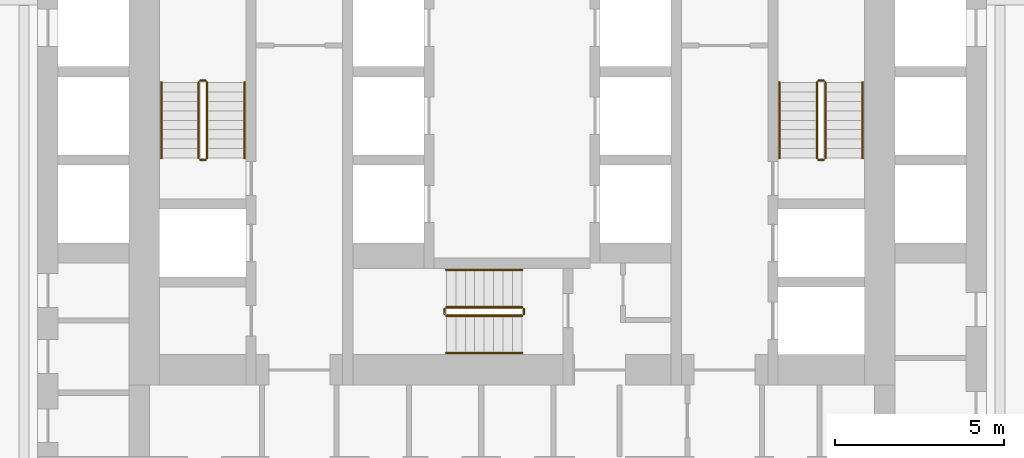
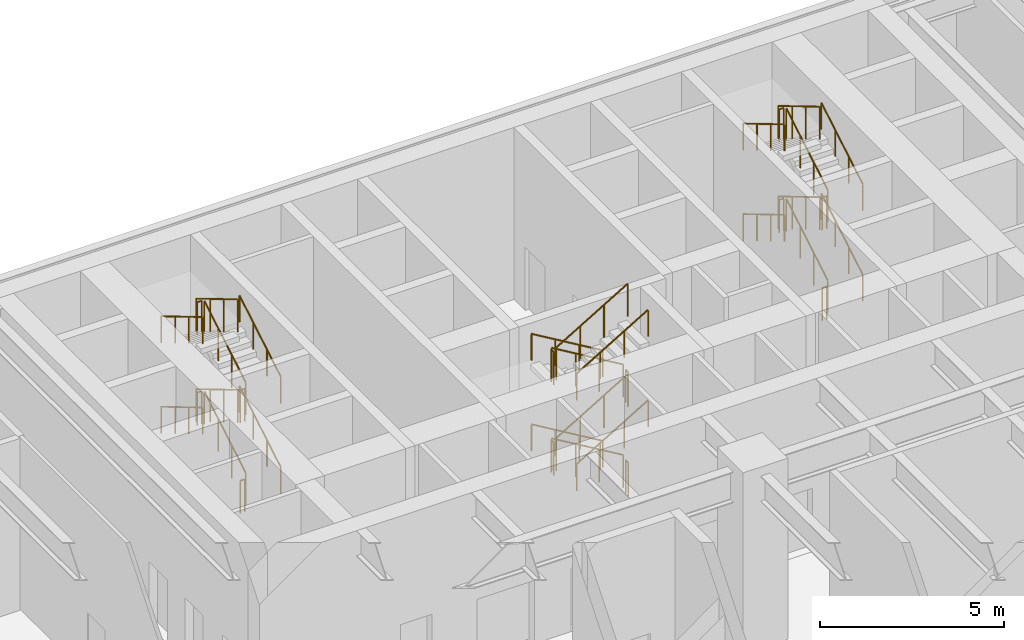
# One storey, part 37 of 37: 36 railings.
"""IFC4 building model written with IfcOpenShell, lengths in metres."""

import ifcopenshell
import ifcopenshell.guid

model = None  # the IFC model being written
_history = None  # IfcOwnerHistory: only IFC2X3 demands one
_inside = {}  # id of a spatial element -> (the spatial element, [elements in it])
_under = {}  # id of a project, library or spatial element -> (it, [spatial elements below it])
_declared = {}  # id of a project -> (the project, [libraries it declares])
_typed = {}  # id of a type object -> (the type object, [elements of that type])
_made_of = {}  # id of a material, layer set ... -> (it, [elements and type objects made of it])


def new_model(schema):
    """Start an empty IFC model of exactly this schema.

    Asked for "IFC4X3", IfcOpenShell would pick the latest addendum, in which some entities
    have other attributes; the version numbers below select the first issue.
    IFC2X3 requires an IfcOwnerHistory on every rooted entity: one is made here for all.
    """
    global model, _history
    if schema == "IFC4X3":
        model = ifcopenshell.file(schema_version=(4, 3, 0, 0))
    else:
        model = ifcopenshell.file(schema=schema)
    _inside.clear()
    _under.clear()
    _declared.clear()
    _typed.clear()
    _made_of.clear()
    _history = None
    if model.schema == "IFC2X3":
        org = make("IfcOrganization", Name="unknown")
        user = make(
            "IfcPersonAndOrganization",
            ThePerson=make("IfcPerson", FamilyName="unknown"),
            TheOrganization=org,
        )
        app = make(
            "IfcApplication",
            ApplicationDeveloper=org,
            Version="unknown",
            ApplicationFullName="unknown",
            ApplicationIdentifier="unknown",
        )
        _history = make(
            "IfcOwnerHistory",
            OwningUser=user,
            OwningApplication=app,
            ChangeAction="ADDED",
            CreationDate=0,
        )
    return model


def make(cls, **values):
    """One entity of the class cls with the attributes given. An attribute that is None is left unset."""
    return model.create_entity(
        cls, **{name: value for name, value in values.items() if value is not None}
    )


def rooted(cls, **values):
    """An entity with a GlobalId (a new one), such as an element, a storey or a relation."""
    return make(cls, GlobalId=ifcopenshell.guid.new(), OwnerHistory=_history, **values)


def si_unit(unit_type, name, prefix=None):
    """IfcSIUnit, for example si_unit("LENGTHUNIT", "METRE", prefix="MILLI")."""
    return make("IfcSIUnit", UnitType=unit_type, Prefix=prefix, Name=name)


def assignment(units):
    """IfcUnitAssignment: the units of a project."""
    return None if units is None else make("IfcUnitAssignment", Units=units)


def point(xyz):
    """IfcCartesianPoint."""
    return None if xyz is None else make("IfcCartesianPoint", Coordinates=xyz)


def direction(xyz):
    """IfcDirection."""
    return None if xyz is None else make("IfcDirection", DirectionRatios=xyz)


def frame(location, z_axis=None, x_axis=None):
    """IfcAxis2Placement3D, a coordinate frame: its origin and axes. An axis left out is left unset."""
    return make(
        "IfcAxis2Placement3D",
        Location=point(location),
        Axis=direction(z_axis),
        RefDirection=direction(x_axis),
    )


def frame_2d(location, x_axis=None):
    """IfcAxis2Placement2D, a coordinate frame in the plane: its origin and x axis."""
    return make(
        "IfcAxis2Placement2D", Location=point(location), RefDirection=direction(x_axis)
    )


def origin():
    """The frame at (0, 0, 0) with its axes left unset."""
    return frame((0.0, 0.0, 0.0))


def origin_2d():
    """The frame at (0, 0) in the plane with its x axis left unset."""
    return frame_2d((0.0, 0.0))


def place(relative_to, where):
    """IfcLocalPlacement: puts the frame where relative to a parent placement (None: the world)."""
    return make(
        "IfcLocalPlacement", PlacementRelTo=relative_to, RelativePlacement=where
    )


def context(
    kind, dimensions, precision=None, world=None, true_north=None, identifier=None
):
    """IfcGeometricRepresentationContext, for example the 3D "Model" context."""
    return make(
        "IfcGeometricRepresentationContext",
        ContextIdentifier=identifier,
        ContextType=kind,
        CoordinateSpaceDimension=dimensions,
        Precision=precision,
        WorldCoordinateSystem=world,
        TrueNorth=true_north,
    )


def subcontext(parent, identifier, kind, view, scale=None):
    """IfcGeometricRepresentationSubContext, for example "Body" below "Model"."""
    return make(
        "IfcGeometricRepresentationSubContext",
        ContextIdentifier=identifier,
        ContextType=kind,
        ParentContext=parent,
        TargetScale=scale,
        TargetView=view,
    )


def project(units=None, contexts=None):
    """IfcProject with its units and contexts."""
    return rooted(
        "IfcProject",
        Name="project",
        RepresentationContexts=contexts,
        UnitsInContext=assignment(units),
    )


def spatial(cls, under=None, at=None, **own):
    """A site, building, storey or space (cls), placed at a placement, below another one or the project."""
    s = rooted(cls, ObjectPlacement=at, **own)
    if under is not None:
        _under.setdefault(under.id(), (under, []))[1].append(s)
    return s


def profile(cls, at=None, kind="AREA", **sizes):
    """A parametric profile (cls). Its sizes go by their IFC names, for example OverallWidth=200.0."""
    return make(cls, ProfileType=kind, Position=at, **sizes)


def circle(**sizes):
    """IfcCircleProfileDef."""
    return profile("IfcCircleProfileDef", **sizes)


def extrude(swept, where, along, depth):
    """IfcExtrudedAreaSolid: the profile swept, set in the frame where, extruded along a direction by depth."""
    return make(
        "IfcExtrudedAreaSolid",
        SweptArea=swept,
        Position=where,
        ExtrudedDirection=direction(along),
        Depth=depth,
    )


def shape(context_of_items, identifier, shape_type, items):
    """IfcShapeRepresentation: the items that make up one representation, for example the "Body"."""
    return make(
        "IfcShapeRepresentation",
        ContextOfItems=context_of_items,
        RepresentationIdentifier=identifier,
        RepresentationType=shape_type,
        Items=items,
    )


def material(Name=None, Category=None):
    """IfcMaterial."""
    return make("IfcMaterial", Name=Name, Category=Category)


def made_of(thing, what):
    """Note that an element or type object is made of a material, layer set ...; save() writes the relation."""
    if what is not None:
        _made_of.setdefault(what.id(), (what, []))[1].append(thing)
    return thing


def type_object(cls, material=None, **own):
    """A type object (cls), such as IfcWallType, which elements share."""
    return made_of(rooted(cls, **own), material)


def element(
    cls,
    number,
    at=None,
    inside=None,
    cuts=None,
    type_object=None,
    material=None,
    context=None,
    identifier="Body",
    shape_type=None,
    held_by="IfcProductDefinitionShape",
    body=None,
    shapes=None,
    **own,
):
    """One element of the class cls, such as IfcWall. Its Tag is "e" and its number.

    at: its placement. inside: the storey or other place that contains it. cuts: it is an
    opening in that element (IfcRelVoidsElement). A single representation is given by context,
    identifier, shape_type and body (its items); several are given by shapes. held_by: the class
    of the entity that holds the representations. save() writes the other relations.
    """
    e = rooted(cls, Tag="e%d" % number, ObjectPlacement=at, **own)
    if body is not None:
        shapes = [shape(context, identifier, shape_type, body)]
    if shapes is not None:
        e.Representation = make(held_by, Representations=shapes)
    if inside is not None:
        _inside.setdefault(inside.id(), (inside, []))[1].append(e)
    if cuts is not None:
        rooted(
            "IfcRelVoidsElement", RelatingBuildingElement=cuts, RelatedOpeningElement=e
        )
    if type_object is not None:
        _typed.setdefault(type_object.id(), (type_object, []))[1].append(e)
    return made_of(e, material)


def aggregate(whole, parts):
    """IfcRelAggregates: a whole, such as a stair, and the parts it consists of."""
    return rooted("IfcRelAggregates", RelatingObject=whole, RelatedObjects=parts)


def save(model, path):
    """Write the relations noted so far, then the file.

    IfcRelAggregates (storeys below a building ...), IfcRelContainedInSpatialStructure (elements
    in a storey), IfcRelDefinesByType, IfcRelAssociatesMaterial and IfcRelDeclares: one each for
    every whole, place, type object, material and project.
    """
    for whole, parts in _under.values():
        aggregate(whole, parts)
    for where, things in _inside.values():
        rooted(
            "IfcRelContainedInSpatialStructure",
            RelatedElements=things,
            RelatingStructure=where,
        )
    for kind, things in _typed.values():
        rooted("IfcRelDefinesByType", RelatedObjects=things, RelatingType=kind)
    for what, things in _made_of.values():
        rooted("IfcRelAssociatesMaterial", RelatedObjects=things, RelatingMaterial=what)
    for by, libraries in _declared.values():
        rooted("IfcRelDeclares", RelatingContext=by, RelatedDefinitions=libraries)
    model.write(path)


model = new_model("IFC4")

# Units and contexts
model_context = context("Model", 3, precision=1e-05, world=origin(), true_north=direction((0.0, 1.0)))
body_context = subcontext(model_context, "Body", "Model", "MODEL_VIEW")
ifc_project = project(units=[si_unit("LENGTHUNIT", "METRE"), si_unit("AREAUNIT", "SQUARE_METRE"), si_unit("VOLUMEUNIT", "CUBIC_METRE"), si_unit("PLANEANGLEUNIT", "RADIAN"), si_unit("MASSUNIT", "GRAM", prefix="KILO")], contexts=[model_context])

# Site, building, storey
site_placement = place(None, origin())
site = spatial("IfcSite", under=ifc_project, at=site_placement, CompositionType="ELEMENT")
building_placement = place(site_placement, origin())
building = spatial("IfcBuilding", under=site, at=building_placement, Name="Aloe Facet Convention Tower", CompositionType="ELEMENT")
storey_placement = place(building_placement, frame((0.0, 0.0, 7.5)))
storey = spatial("IfcBuildingStorey", under=building, at=storey_placement, Name="L01", CompositionType="ELEMENT", Elevation=7.5)

# Railings
ifc_material_1 = material(Name="Steel S355 balustrade", Category="steel")
railing_type_1 = type_object("IfcRailingType", Name="CR-RL-GUARD", PredefinedType="GUARDRAIL", material=ifc_material_1)
railing_1_placement = place(storey_placement, frame((71.0, 128.949951171875, 0.166748046875)))
element("IfcRailing", 1, at=railing_1_placement, inside=storey, type_object=railing_type_1, Name="L01 ST1 stair guard 1", PredefinedType="GUARDRAIL", context=body_context, shape_type="SweptSolid", body=[
    extrude(circle(Radius=0.02392578125, at=origin_2d()), frame((0.0, 0.0, 1.076171875), z_axis=(0.0, 0.859305625298, 0.511462454469), x_axis=(-1.0, 0.0, 0.0)), (0.0, 0.0, 1.0), 2.606689453125),
    extrude(circle(Radius=0.02099609375, at=origin_2d()), origin(), (0.0, 0.0, 1.0), 1.052001953125),
    extrude(circle(Radius=0.02099609375, at=origin_2d()), frame((0.0, 0.74658203125, 0.4443359375)), (0.0, 0.0, 1.0), 1.052001953125),
    extrude(circle(Radius=0.02099609375, at=origin_2d()), frame((0.0, 1.493408203125, 0.888916015625)), (0.0, 0.0, 1.0), 1.052001953125),
    extrude(circle(Radius=0.02099609375, at=origin_2d()), frame((0.0, 2.239990234375, 1.333251953125)), (0.0, 0.0, 1.0), 1.052001953125),
])
railing_2_placement = place(storey_placement, frame((70.949951171875, 131.239990234375, 1.5)))
element("IfcRailing", 2, at=railing_2_placement, inside=storey, type_object=railing_type_1, Name="L01 ST1 stair guard 2", PredefinedType="GUARDRAIL", context=body_context, shape_type="SweptSolid", body=[
    extrude(circle(Radius=0.02392578125, at=origin_2d()), frame((0.0, 0.0, 1.076171875), z_axis=(-1.0, 0.0, 0.0), x_axis=(0.0, -1.0, 0.0)), (0.0, 0.0, 1.0), 0.14990234375),
    extrude(circle(Radius=0.02099609375, at=origin_2d()), origin(), (0.0, 0.0, 1.0), 1.052001953125),
    extrude(circle(Radius=0.02099609375, at=origin_2d()), frame((-0.14990234375, 0.0, 0.0)), (0.0, 0.0, 1.0), 1.052001953125),
])
railing_3_placement = place(storey_placement, frame((70.75, 131.18994140625, 1.666748046875)))
element("IfcRailing", 3, at=railing_3_placement, inside=storey, type_object=railing_type_1, Name="L01 ST1 stair guard 3", PredefinedType="GUARDRAIL", context=body_context, shape_type="SweptSolid", body=[
    extrude(circle(Radius=0.02392578125, at=origin_2d()), frame((0.0, 0.0, 1.076171875), z_axis=(0.0, -0.859305625298, 0.511462454469), x_axis=(1.0, 0.0, 0.0)), (0.0, 0.0, 1.0), 2.606689453125),
    extrude(circle(Radius=0.02099609375, at=origin_2d()), origin(), (0.0, 0.0, 1.0), 1.052001953125),
    extrude(circle(Radius=0.02099609375, at=origin_2d()), frame((0.0, -0.74658203125, 0.4443359375)), (0.0, 0.0, 1.0), 1.052001953125),
    extrude(circle(Radius=0.02099609375, at=origin_2d()), frame((0.0, -1.493408203125, 0.888916015625)), (0.0, 0.0, 1.0), 1.052001953125),
    extrude(circle(Radius=0.02099609375, at=origin_2d()), frame((0.0, -2.239990234375, 1.333251953125)), (0.0, 0.0, 1.0), 1.052001953125),
])
railing_4_placement = place(storey_placement, frame((70.949951171875, 128.89990234375, 3.0)))
element("IfcRailing", 4, at=railing_4_placement, inside=storey, type_object=railing_type_1, Name="L01 ST1 stair guard 4", PredefinedType="GUARDRAIL", context=body_context, shape_type="SweptSolid", body=[
    extrude(circle(Radius=0.02392578125, at=origin_2d()), frame((0.0, 0.0, 1.076171875), z_axis=(-1.0, 0.0, 0.0), x_axis=(0.0, -1.0, 0.0)), (0.0, 0.0, 1.0), 0.14990234375),
    extrude(circle(Radius=0.02099609375, at=origin_2d()), origin(), (0.0, 0.0, 1.0), 1.052001953125),
    extrude(circle(Radius=0.02099609375, at=origin_2d()), frame((-0.14990234375, 0.0, 0.0)), (0.0, 0.0, 1.0), 1.052001953125),
])
railing_5_placement = place(storey_placement, frame((71.0, 128.949951171875, 3.166748046875)))
element("IfcRailing", 5, at=railing_5_placement, inside=storey, type_object=railing_type_1, Name="L01 ST1 stair guard 5", PredefinedType="GUARDRAIL", context=body_context, shape_type="SweptSolid", body=[
    extrude(circle(Radius=0.02392578125, at=origin_2d()), frame((0.0, 0.0, 1.076171875), z_axis=(0.0, 0.859305625298, 0.511462454469), x_axis=(-1.0, 0.0, 0.0)), (0.0, 0.0, 1.0), 2.606689453125),
    extrude(circle(Radius=0.02099609375, at=origin_2d()), origin(), (0.0, 0.0, 1.0), 1.052001953125),
    extrude(circle(Radius=0.02099609375, at=origin_2d()), frame((0.0, 0.74658203125, 0.4443359375)), (0.0, 0.0, 1.0), 1.052001953125),
    extrude(circle(Radius=0.02099609375, at=origin_2d()), frame((0.0, 1.493408203125, 0.888916015625)), (0.0, 0.0, 1.0), 1.052001953125),
    extrude(circle(Radius=0.02099609375, at=origin_2d()), frame((0.0, 2.239990234375, 1.333251953125)), (0.0, 0.0, 1.0), 1.052001953125),
])
railing_6_placement = place(storey_placement, frame((70.949951171875, 131.239990234375, 4.5)))
element("IfcRailing", 6, at=railing_6_placement, inside=storey, type_object=railing_type_1, Name="L01 ST1 stair guard 6", PredefinedType="GUARDRAIL", context=body_context, shape_type="SweptSolid", body=[
    extrude(circle(Radius=0.02392578125, at=origin_2d()), frame((0.0, 0.0, 1.076171875), z_axis=(-1.0, 0.0, 0.0), x_axis=(0.0, -1.0, 0.0)), (0.0, 0.0, 1.0), 0.14990234375),
    extrude(circle(Radius=0.02099609375, at=origin_2d()), origin(), (0.0, 0.0, 1.0), 1.052001953125),
    extrude(circle(Radius=0.02099609375, at=origin_2d()), frame((-0.14990234375, 0.0, 0.0)), (0.0, 0.0, 1.0), 1.052001953125),
])
railing_7_placement = place(storey_placement, frame((70.75, 131.18994140625, 4.666748046875)))
element("IfcRailing", 7, at=railing_7_placement, inside=storey, type_object=railing_type_1, Name="L01 ST1 stair guard 7", PredefinedType="GUARDRAIL", context=body_context, shape_type="SweptSolid", body=[
    extrude(circle(Radius=0.02392578125, at=origin_2d()), frame((0.0, 0.0, 1.076171875), z_axis=(0.0, -0.859305625298, 0.511462454469), x_axis=(1.0, 0.0, 0.0)), (0.0, 0.0, 1.0), 2.606689453125),
    extrude(circle(Radius=0.02099609375, at=origin_2d()), origin(), (0.0, 0.0, 1.0), 1.052001953125),
    extrude(circle(Radius=0.02099609375, at=origin_2d()), frame((0.0, -0.74658203125, 0.4443359375)), (0.0, 0.0, 1.0), 1.052001953125),
    extrude(circle(Radius=0.02099609375, at=origin_2d()), frame((0.0, -1.493408203125, 0.888916015625)), (0.0, 0.0, 1.0), 1.052001953125),
    extrude(circle(Radius=0.02099609375, at=origin_2d()), frame((0.0, -2.239990234375, 1.333251953125)), (0.0, 0.0, 1.0), 1.052001953125),
])
railing_8_placement = place(storey_placement, frame((70.949951171875, 128.89990234375, 0.0)))
element("IfcRailing", 8, at=railing_8_placement, inside=storey, type_object=railing_type_1, Name="L01 ST1 stair guard 8", PredefinedType="GUARDRAIL", context=body_context, shape_type="SweptSolid", body=[
    extrude(circle(Radius=0.02392578125, at=origin_2d()), frame((0.0, 0.0, 1.076171875), z_axis=(-1.0, 0.0, 0.0), x_axis=(0.0, -1.0, 0.0)), (0.0, 0.0, 1.0), 0.14990234375),
    extrude(circle(Radius=0.02099609375, at=origin_2d()), origin(), (0.0, 0.0, 1.0), 1.052001953125),
    extrude(circle(Radius=0.02099609375, at=origin_2d()), frame((-0.14990234375, 0.0, 0.0)), (0.0, 0.0, 1.0), 1.052001953125),
])
railing_9_placement = place(storey_placement, frame((89.25, 128.949951171875, 0.166748046875)))
element("IfcRailing", 9, at=railing_9_placement, inside=storey, type_object=railing_type_1, Name="L01 ST2 stair guard 1", PredefinedType="GUARDRAIL", context=body_context, shape_type="SweptSolid", body=[
    extrude(circle(Radius=0.02392578125, at=origin_2d()), frame((0.0, 0.0, 1.076171875), z_axis=(0.0, 0.859305625298, 0.511462454469), x_axis=(-1.0, 0.0, 0.0)), (0.0, 0.0, 1.0), 2.606689453125),
    extrude(circle(Radius=0.02099609375, at=origin_2d()), origin(), (0.0, 0.0, 1.0), 1.052001953125),
    extrude(circle(Radius=0.02099609375, at=origin_2d()), frame((0.0, 0.74658203125, 0.4443359375)), (0.0, 0.0, 1.0), 1.052001953125),
    extrude(circle(Radius=0.02099609375, at=origin_2d()), frame((0.0, 1.493408203125, 0.888916015625)), (0.0, 0.0, 1.0), 1.052001953125),
    extrude(circle(Radius=0.02099609375, at=origin_2d()), frame((0.0, 2.239990234375, 1.333251953125)), (0.0, 0.0, 1.0), 1.052001953125),
])
railing_10_placement = place(storey_placement, frame((89.199951171875, 131.239990234375, 1.5)))
element("IfcRailing", 10, at=railing_10_placement, inside=storey, type_object=railing_type_1, Name="L01 ST2 stair guard 2", PredefinedType="GUARDRAIL", context=body_context, shape_type="SweptSolid", body=[
    extrude(circle(Radius=0.02392578125, at=origin_2d()), frame((0.0, 0.0, 1.076171875), z_axis=(-1.0, 0.0, 0.0), x_axis=(0.0, -1.0, 0.0)), (0.0, 0.0, 1.0), 0.14990234375),
    extrude(circle(Radius=0.02099609375, at=origin_2d()), origin(), (0.0, 0.0, 1.0), 1.052001953125),
    extrude(circle(Radius=0.02099609375, at=origin_2d()), frame((-0.14990234375, 0.0, 0.0)), (0.0, 0.0, 1.0), 1.052001953125),
])
railing_11_placement = place(storey_placement, frame((89.0, 131.18994140625, 1.666748046875)))
element("IfcRailing", 11, at=railing_11_placement, inside=storey, type_object=railing_type_1, Name="L01 ST2 stair guard 3", PredefinedType="GUARDRAIL", context=body_context, shape_type="SweptSolid", body=[
    extrude(circle(Radius=0.02392578125, at=origin_2d()), frame((0.0, 0.0, 1.076171875), z_axis=(0.0, -0.859305625298, 0.511462454469), x_axis=(1.0, 0.0, 0.0)), (0.0, 0.0, 1.0), 2.606689453125),
    extrude(circle(Radius=0.02099609375, at=origin_2d()), origin(), (0.0, 0.0, 1.0), 1.052001953125),
    extrude(circle(Radius=0.02099609375, at=origin_2d()), frame((0.0, -0.74658203125, 0.4443359375)), (0.0, 0.0, 1.0), 1.052001953125),
    extrude(circle(Radius=0.02099609375, at=origin_2d()), frame((0.0, -1.493408203125, 0.888916015625)), (0.0, 0.0, 1.0), 1.052001953125),
    extrude(circle(Radius=0.02099609375, at=origin_2d()), frame((0.0, -2.239990234375, 1.333251953125)), (0.0, 0.0, 1.0), 1.052001953125),
])
railing_12_placement = place(storey_placement, frame((89.199951171875, 128.89990234375, 3.0)))
element("IfcRailing", 12, at=railing_12_placement, inside=storey, type_object=railing_type_1, Name="L01 ST2 stair guard 4", PredefinedType="GUARDRAIL", context=body_context, shape_type="SweptSolid", body=[
    extrude(circle(Radius=0.02392578125, at=origin_2d()), frame((0.0, 0.0, 1.076171875), z_axis=(-1.0, 0.0, 0.0), x_axis=(0.0, -1.0, 0.0)), (0.0, 0.0, 1.0), 0.14990234375),
    extrude(circle(Radius=0.02099609375, at=origin_2d()), origin(), (0.0, 0.0, 1.0), 1.052001953125),
    extrude(circle(Radius=0.02099609375, at=origin_2d()), frame((-0.14990234375, 0.0, 0.0)), (0.0, 0.0, 1.0), 1.052001953125),
])
railing_13_placement = place(storey_placement, frame((89.25, 128.949951171875, 3.166748046875)))
element("IfcRailing", 13, at=railing_13_placement, inside=storey, type_object=railing_type_1, Name="L01 ST2 stair guard 5", PredefinedType="GUARDRAIL", context=body_context, shape_type="SweptSolid", body=[
    extrude(circle(Radius=0.02392578125, at=origin_2d()), frame((0.0, 0.0, 1.076171875), z_axis=(0.0, 0.859305625298, 0.511462454469), x_axis=(-1.0, 0.0, 0.0)), (0.0, 0.0, 1.0), 2.606689453125),
    extrude(circle(Radius=0.02099609375, at=origin_2d()), origin(), (0.0, 0.0, 1.0), 1.052001953125),
    extrude(circle(Radius=0.02099609375, at=origin_2d()), frame((0.0, 0.74658203125, 0.4443359375)), (0.0, 0.0, 1.0), 1.052001953125),
    extrude(circle(Radius=0.02099609375, at=origin_2d()), frame((0.0, 1.493408203125, 0.888916015625)), (0.0, 0.0, 1.0), 1.052001953125),
    extrude(circle(Radius=0.02099609375, at=origin_2d()), frame((0.0, 2.239990234375, 1.333251953125)), (0.0, 0.0, 1.0), 1.052001953125),
])
railing_14_placement = place(storey_placement, frame((89.199951171875, 131.239990234375, 4.5)))
element("IfcRailing", 14, at=railing_14_placement, inside=storey, type_object=railing_type_1, Name="L01 ST2 stair guard 6", PredefinedType="GUARDRAIL", context=body_context, shape_type="SweptSolid", body=[
    extrude(circle(Radius=0.02392578125, at=origin_2d()), frame((0.0, 0.0, 1.076171875), z_axis=(-1.0, 0.0, 0.0), x_axis=(0.0, -1.0, 0.0)), (0.0, 0.0, 1.0), 0.14990234375),
    extrude(circle(Radius=0.02099609375, at=origin_2d()), origin(), (0.0, 0.0, 1.0), 1.052001953125),
    extrude(circle(Radius=0.02099609375, at=origin_2d()), frame((-0.14990234375, 0.0, 0.0)), (0.0, 0.0, 1.0), 1.052001953125),
])
railing_15_placement = place(storey_placement, frame((89.0, 131.18994140625, 4.666748046875)))
element("IfcRailing", 15, at=railing_15_placement, inside=storey, type_object=railing_type_1, Name="L01 ST2 stair guard 7", PredefinedType="GUARDRAIL", context=body_context, shape_type="SweptSolid", body=[
    extrude(circle(Radius=0.02392578125, at=origin_2d()), frame((0.0, 0.0, 1.076171875), z_axis=(0.0, -0.859305625298, 0.511462454469), x_axis=(1.0, 0.0, 0.0)), (0.0, 0.0, 1.0), 2.606689453125),
    extrude(circle(Radius=0.02099609375, at=origin_2d()), origin(), (0.0, 0.0, 1.0), 1.052001953125),
    extrude(circle(Radius=0.02099609375, at=origin_2d()), frame((0.0, -0.74658203125, 0.4443359375)), (0.0, 0.0, 1.0), 1.052001953125),
    extrude(circle(Radius=0.02099609375, at=origin_2d()), frame((0.0, -1.493408203125, 0.888916015625)), (0.0, 0.0, 1.0), 1.052001953125),
    extrude(circle(Radius=0.02099609375, at=origin_2d()), frame((0.0, -2.239990234375, 1.333251953125)), (0.0, 0.0, 1.0), 1.052001953125),
])
railing_16_placement = place(storey_placement, frame((89.199951171875, 128.89990234375, 0.0)))
element("IfcRailing", 16, at=railing_16_placement, inside=storey, type_object=railing_type_1, Name="L01 ST2 stair guard 8", PredefinedType="GUARDRAIL", context=body_context, shape_type="SweptSolid", body=[
    extrude(circle(Radius=0.02392578125, at=origin_2d()), frame((0.0, 0.0, 1.076171875), z_axis=(-1.0, 0.0, 0.0), x_axis=(0.0, -1.0, 0.0)), (0.0, 0.0, 1.0), 0.14990234375),
    extrude(circle(Radius=0.02099609375, at=origin_2d()), origin(), (0.0, 0.0, 1.0), 1.052001953125),
    extrude(circle(Radius=0.02099609375, at=origin_2d()), frame((-0.14990234375, 0.0, 0.0)), (0.0, 0.0, 1.0), 1.052001953125),
])
railing_17_placement = place(storey_placement, frame((80.300048828125, 124.550048828125, 0.166748046875)))
element("IfcRailing", 17, at=railing_17_placement, inside=storey, type_object=railing_type_1, Name="L01 ST3 stair guard 1", PredefinedType="GUARDRAIL", context=body_context, shape_type="SweptSolid", body=[
    extrude(circle(Radius=0.02392578125, at=origin_2d()), frame((0.0, 0.0, 1.076171875), z_axis=(-0.859305625298, 0.0, 0.511462454469), x_axis=(0.0, -1.0, 0.0)), (0.0, 0.0, 1.0), 2.606689453125),
    extrude(circle(Radius=0.02099609375, at=origin_2d()), origin(), (0.0, 0.0, 1.0), 1.052001953125),
    extrude(circle(Radius=0.02099609375, at=origin_2d()), frame((-0.74658203125, 0.0, 0.4443359375)), (0.0, 0.0, 1.0), 1.052001953125),
    extrude(circle(Radius=0.02099609375, at=origin_2d()), frame((-1.493408203125, 0.0, 0.888916015625)), (0.0, 0.0, 1.0), 1.052001953125),
    extrude(circle(Radius=0.02099609375, at=origin_2d()), frame((-2.239990234375, 0.0, 1.333251953125)), (0.0, 0.0, 1.0), 1.052001953125),
])
railing_18_placement = place(storey_placement, frame((78.010009765625, 124.5, 1.5)))
element("IfcRailing", 18, at=railing_18_placement, inside=storey, type_object=railing_type_1, Name="L01 ST3 stair guard 2", PredefinedType="GUARDRAIL", context=body_context, shape_type="SweptSolid", body=[
    extrude(circle(Radius=0.02392578125, at=origin_2d()), frame((0.0, 0.0, 1.076171875), z_axis=(0.0, -1.0, 0.0), x_axis=(1.0, 0.0, 0.0)), (0.0, 0.0, 1.0), 0.14990234375),
    extrude(circle(Radius=0.02099609375, at=origin_2d()), origin(), (0.0, 0.0, 1.0), 1.052001953125),
    extrude(circle(Radius=0.02099609375, at=origin_2d()), frame((0.0, -0.14990234375, 0.0)), (0.0, 0.0, 1.0), 1.052001953125),
])
railing_19_placement = place(storey_placement, frame((78.06005859375, 124.300048828125, 1.666748046875)))
element("IfcRailing", 19, at=railing_19_placement, inside=storey, type_object=railing_type_1, Name="L01 ST3 stair guard 3", PredefinedType="GUARDRAIL", context=body_context, shape_type="SweptSolid", body=[
    extrude(circle(Radius=0.02392578125, at=origin_2d()), frame((0.0, 0.0, 1.076171875), z_axis=(0.859305625298, 0.0, 0.511462454469), x_axis=(0.0, 1.0, 0.0)), (0.0, 0.0, 1.0), 2.606689453125),
    extrude(circle(Radius=0.02099609375, at=origin_2d()), origin(), (0.0, 0.0, 1.0), 1.052001953125),
    extrude(circle(Radius=0.02099609375, at=origin_2d()), frame((0.74658203125, 0.0, 0.4443359375)), (0.0, 0.0, 1.0), 1.052001953125),
    extrude(circle(Radius=0.02099609375, at=origin_2d()), frame((1.493408203125, 0.0, 0.888916015625)), (0.0, 0.0, 1.0), 1.052001953125),
    extrude(circle(Radius=0.02099609375, at=origin_2d()), frame((2.239990234375, 0.0, 1.333251953125)), (0.0, 0.0, 1.0), 1.052001953125),
])
railing_20_placement = place(storey_placement, frame((80.35009765625, 124.5, 3.0)))
element("IfcRailing", 20, at=railing_20_placement, inside=storey, type_object=railing_type_1, Name="L01 ST3 stair guard 4", PredefinedType="GUARDRAIL", context=body_context, shape_type="SweptSolid", body=[
    extrude(circle(Radius=0.02392578125, at=origin_2d()), frame((0.0, 0.0, 1.076171875), z_axis=(0.0, -1.0, 0.0), x_axis=(1.0, 0.0, 0.0)), (0.0, 0.0, 1.0), 0.14990234375),
    extrude(circle(Radius=0.02099609375, at=origin_2d()), origin(), (0.0, 0.0, 1.0), 1.052001953125),
    extrude(circle(Radius=0.02099609375, at=origin_2d()), frame((0.0, -0.14990234375, 0.0)), (0.0, 0.0, 1.0), 1.052001953125),
])
railing_21_placement = place(storey_placement, frame((80.300048828125, 124.550048828125, 3.166748046875)))
element("IfcRailing", 21, at=railing_21_placement, inside=storey, type_object=railing_type_1, Name="L01 ST3 stair guard 5", PredefinedType="GUARDRAIL", context=body_context, shape_type="SweptSolid", body=[
    extrude(circle(Radius=0.02392578125, at=origin_2d()), frame((0.0, 0.0, 1.076171875), z_axis=(-0.859305625298, 0.0, 0.511462454469), x_axis=(0.0, -1.0, 0.0)), (0.0, 0.0, 1.0), 2.606689453125),
    extrude(circle(Radius=0.02099609375, at=origin_2d()), origin(), (0.0, 0.0, 1.0), 1.052001953125),
    extrude(circle(Radius=0.02099609375, at=origin_2d()), frame((-0.74658203125, 0.0, 0.4443359375)), (0.0, 0.0, 1.0), 1.052001953125),
    extrude(circle(Radius=0.02099609375, at=origin_2d()), frame((-1.493408203125, 0.0, 0.888916015625)), (0.0, 0.0, 1.0), 1.052001953125),
    extrude(circle(Radius=0.02099609375, at=origin_2d()), frame((-2.239990234375, 0.0, 1.333251953125)), (0.0, 0.0, 1.0), 1.052001953125),
])
railing_22_placement = place(storey_placement, frame((78.010009765625, 124.5, 4.5)))
element("IfcRailing", 22, at=railing_22_placement, inside=storey, type_object=railing_type_1, Name="L01 ST3 stair guard 6", PredefinedType="GUARDRAIL", context=body_context, shape_type="SweptSolid", body=[
    extrude(circle(Radius=0.02392578125, at=origin_2d()), frame((0.0, 0.0, 1.076171875), z_axis=(0.0, -1.0, 0.0), x_axis=(1.0, 0.0, 0.0)), (0.0, 0.0, 1.0), 0.14990234375),
    extrude(circle(Radius=0.02099609375, at=origin_2d()), origin(), (0.0, 0.0, 1.0), 1.052001953125),
    extrude(circle(Radius=0.02099609375, at=origin_2d()), frame((0.0, -0.14990234375, 0.0)), (0.0, 0.0, 1.0), 1.052001953125),
])
railing_23_placement = place(storey_placement, frame((78.06005859375, 124.300048828125, 4.666748046875)))
element("IfcRailing", 23, at=railing_23_placement, inside=storey, type_object=railing_type_1, Name="L01 ST3 stair guard 7", PredefinedType="GUARDRAIL", context=body_context, shape_type="SweptSolid", body=[
    extrude(circle(Radius=0.02392578125, at=origin_2d()), frame((0.0, 0.0, 1.076171875), z_axis=(0.859305625298, 0.0, 0.511462454469), x_axis=(0.0, 1.0, 0.0)), (0.0, 0.0, 1.0), 2.606689453125),
    extrude(circle(Radius=0.02099609375, at=origin_2d()), origin(), (0.0, 0.0, 1.0), 1.052001953125),
    extrude(circle(Radius=0.02099609375, at=origin_2d()), frame((0.74658203125, 0.0, 0.4443359375)), (0.0, 0.0, 1.0), 1.052001953125),
    extrude(circle(Radius=0.02099609375, at=origin_2d()), frame((1.493408203125, 0.0, 0.888916015625)), (0.0, 0.0, 1.0), 1.052001953125),
    extrude(circle(Radius=0.02099609375, at=origin_2d()), frame((2.239990234375, 0.0, 1.333251953125)), (0.0, 0.0, 1.0), 1.052001953125),
])
railing_24_placement = place(storey_placement, frame((80.35009765625, 124.5, 0.0)))
element("IfcRailing", 24, at=railing_24_placement, inside=storey, type_object=railing_type_1, Name="L01 ST3 stair guard 8", PredefinedType="GUARDRAIL", context=body_context, shape_type="SweptSolid", body=[
    extrude(circle(Radius=0.02392578125, at=origin_2d()), frame((0.0, 0.0, 1.076171875), z_axis=(0.0, -1.0, 0.0), x_axis=(1.0, 0.0, 0.0)), (0.0, 0.0, 1.0), 0.14990234375),
    extrude(circle(Radius=0.02099609375, at=origin_2d()), origin(), (0.0, 0.0, 1.0), 1.052001953125),
    extrude(circle(Radius=0.02099609375, at=origin_2d()), frame((0.0, -0.14990234375, 0.0)), (0.0, 0.0, 1.0), 1.052001953125),
])
ifc_material_2 = material(Name="Steel S355 handrail", Category="steel")
railing_type_2 = type_object("IfcRailingType", Name="CR-RL-HAND", PredefinedType="HANDRAIL", material=ifc_material_2)
railing_25_placement = place(storey_placement, frame((72.10009765625, 128.949951171875, 0.166748046875)))
element("IfcRailing", 25, at=railing_25_placement, inside=storey, type_object=railing_type_2, Name="L01 ST1 stair handrail 1", PredefinedType="HANDRAIL", context=body_context, shape_type="SweptSolid", body=[
    extrude(circle(Radius=0.02392578125, at=origin_2d()), frame((0.0, 0.0, 0.8759765625), z_axis=(0.0, 0.859305625298, 0.511462454469), x_axis=(-1.0, 0.0, 0.0)), (0.0, 0.0, 1.0), 2.606689453125),
    extrude(circle(Radius=0.02099609375, at=origin_2d()), origin(), (0.0, 0.0, 1.0), 0.851806640625),
    extrude(circle(Radius=0.02099609375, at=origin_2d()), frame((0.0, 0.74658203125, 0.4443359375)), (0.0, 0.0, 1.0), 0.851806640625),
    extrude(circle(Radius=0.02099609375, at=origin_2d()), frame((0.0, 1.493408203125, 0.888916015625)), (0.0, 0.0, 1.0), 0.851806640625),
    extrude(circle(Radius=0.02099609375, at=origin_2d()), frame((0.0, 2.239990234375, 1.333251953125)), (0.0, 0.0, 1.0), 0.851806640625),
])
railing_26_placement = place(storey_placement, frame((69.64990234375, 131.18994140625, 1.666748046875)))
element("IfcRailing", 26, at=railing_26_placement, inside=storey, type_object=railing_type_2, Name="L01 ST1 stair handrail 2", PredefinedType="HANDRAIL", context=body_context, shape_type="SweptSolid", body=[
    extrude(circle(Radius=0.02392578125, at=origin_2d()), frame((0.0, 0.0, 0.8759765625), z_axis=(0.0, -0.859305625298, 0.511462454469), x_axis=(1.0, 0.0, 0.0)), (0.0, 0.0, 1.0), 2.606689453125),
    extrude(circle(Radius=0.02099609375, at=origin_2d()), origin(), (0.0, 0.0, 1.0), 0.851806640625),
    extrude(circle(Radius=0.02099609375, at=origin_2d()), frame((0.0, -0.74658203125, 0.4443359375)), (0.0, 0.0, 1.0), 0.851806640625),
    extrude(circle(Radius=0.02099609375, at=origin_2d()), frame((0.0, -1.493408203125, 0.888916015625)), (0.0, 0.0, 1.0), 0.851806640625),
    extrude(circle(Radius=0.02099609375, at=origin_2d()), frame((0.0, -2.239990234375, 1.333251953125)), (0.0, 0.0, 1.0), 0.851806640625),
])
railing_27_placement = place(storey_placement, frame((72.10009765625, 128.949951171875, 3.166748046875)))
element("IfcRailing", 27, at=railing_27_placement, inside=storey, type_object=railing_type_2, Name="L01 ST1 stair handrail 3", PredefinedType="HANDRAIL", context=body_context, shape_type="SweptSolid", body=[
    extrude(circle(Radius=0.02392578125, at=origin_2d()), frame((0.0, 0.0, 0.8759765625), z_axis=(0.0, 0.859305625298, 0.511462454469), x_axis=(-1.0, 0.0, 0.0)), (0.0, 0.0, 1.0), 2.606689453125),
    extrude(circle(Radius=0.02099609375, at=origin_2d()), origin(), (0.0, 0.0, 1.0), 0.851806640625),
    extrude(circle(Radius=0.02099609375, at=origin_2d()), frame((0.0, 0.74658203125, 0.4443359375)), (0.0, 0.0, 1.0), 0.851806640625),
    extrude(circle(Radius=0.02099609375, at=origin_2d()), frame((0.0, 1.493408203125, 0.888916015625)), (0.0, 0.0, 1.0), 0.851806640625),
    extrude(circle(Radius=0.02099609375, at=origin_2d()), frame((0.0, 2.239990234375, 1.333251953125)), (0.0, 0.0, 1.0), 0.851806640625),
])
railing_28_placement = place(storey_placement, frame((69.64990234375, 131.18994140625, 4.666748046875)))
element("IfcRailing", 28, at=railing_28_placement, inside=storey, type_object=railing_type_2, Name="L01 ST1 stair handrail 4", PredefinedType="HANDRAIL", context=body_context, shape_type="SweptSolid", body=[
    extrude(circle(Radius=0.02392578125, at=origin_2d()), frame((0.0, 0.0, 0.8759765625), z_axis=(0.0, -0.859305625298, 0.511462454469), x_axis=(1.0, 0.0, 0.0)), (0.0, 0.0, 1.0), 2.606689453125),
    extrude(circle(Radius=0.02099609375, at=origin_2d()), origin(), (0.0, 0.0, 1.0), 0.851806640625),
    extrude(circle(Radius=0.02099609375, at=origin_2d()), frame((0.0, -0.74658203125, 0.4443359375)), (0.0, 0.0, 1.0), 0.851806640625),
    extrude(circle(Radius=0.02099609375, at=origin_2d()), frame((0.0, -1.493408203125, 0.888916015625)), (0.0, 0.0, 1.0), 0.851806640625),
    extrude(circle(Radius=0.02099609375, at=origin_2d()), frame((0.0, -2.239990234375, 1.333251953125)), (0.0, 0.0, 1.0), 0.851806640625),
])
railing_29_placement = place(storey_placement, frame((90.35009765625, 128.949951171875, 0.166748046875)))
element("IfcRailing", 29, at=railing_29_placement, inside=storey, type_object=railing_type_2, Name="L01 ST2 stair handrail 1", PredefinedType="HANDRAIL", context=body_context, shape_type="SweptSolid", body=[
    extrude(circle(Radius=0.02392578125, at=origin_2d()), frame((0.0, 0.0, 0.8759765625), z_axis=(0.0, 0.859305625298, 0.511462454469), x_axis=(-1.0, 0.0, 0.0)), (0.0, 0.0, 1.0), 2.606689453125),
    extrude(circle(Radius=0.02099609375, at=origin_2d()), origin(), (0.0, 0.0, 1.0), 0.851806640625),
    extrude(circle(Radius=0.02099609375, at=origin_2d()), frame((0.0, 0.74658203125, 0.4443359375)), (0.0, 0.0, 1.0), 0.851806640625),
    extrude(circle(Radius=0.02099609375, at=origin_2d()), frame((0.0, 1.493408203125, 0.888916015625)), (0.0, 0.0, 1.0), 0.851806640625),
    extrude(circle(Radius=0.02099609375, at=origin_2d()), frame((0.0, 2.239990234375, 1.333251953125)), (0.0, 0.0, 1.0), 0.851806640625),
])
railing_30_placement = place(storey_placement, frame((87.89990234375, 131.18994140625, 1.666748046875)))
element("IfcRailing", 30, at=railing_30_placement, inside=storey, type_object=railing_type_2, Name="L01 ST2 stair handrail 2", PredefinedType="HANDRAIL", context=body_context, shape_type="SweptSolid", body=[
    extrude(circle(Radius=0.02392578125, at=origin_2d()), frame((0.0, 0.0, 0.8759765625), z_axis=(0.0, -0.859305625298, 0.511462454469), x_axis=(1.0, 0.0, 0.0)), (0.0, 0.0, 1.0), 2.606689453125),
    extrude(circle(Radius=0.02099609375, at=origin_2d()), origin(), (0.0, 0.0, 1.0), 0.851806640625),
    extrude(circle(Radius=0.02099609375, at=origin_2d()), frame((0.0, -0.74658203125, 0.4443359375)), (0.0, 0.0, 1.0), 0.851806640625),
    extrude(circle(Radius=0.02099609375, at=origin_2d()), frame((0.0, -1.493408203125, 0.888916015625)), (0.0, 0.0, 1.0), 0.851806640625),
    extrude(circle(Radius=0.02099609375, at=origin_2d()), frame((0.0, -2.239990234375, 1.333251953125)), (0.0, 0.0, 1.0), 0.851806640625),
])
railing_31_placement = place(storey_placement, frame((90.35009765625, 128.949951171875, 3.166748046875)))
element("IfcRailing", 31, at=railing_31_placement, inside=storey, type_object=railing_type_2, Name="L01 ST2 stair handrail 3", PredefinedType="HANDRAIL", context=body_context, shape_type="SweptSolid", body=[
    extrude(circle(Radius=0.02392578125, at=origin_2d()), frame((0.0, 0.0, 0.8759765625), z_axis=(0.0, 0.859305625298, 0.511462454469), x_axis=(-1.0, 0.0, 0.0)), (0.0, 0.0, 1.0), 2.606689453125),
    extrude(circle(Radius=0.02099609375, at=origin_2d()), origin(), (0.0, 0.0, 1.0), 0.851806640625),
    extrude(circle(Radius=0.02099609375, at=origin_2d()), frame((0.0, 0.74658203125, 0.4443359375)), (0.0, 0.0, 1.0), 0.851806640625),
    extrude(circle(Radius=0.02099609375, at=origin_2d()), frame((0.0, 1.493408203125, 0.888916015625)), (0.0, 0.0, 1.0), 0.851806640625),
    extrude(circle(Radius=0.02099609375, at=origin_2d()), frame((0.0, 2.239990234375, 1.333251953125)), (0.0, 0.0, 1.0), 0.851806640625),
])
railing_32_placement = place(storey_placement, frame((87.89990234375, 131.18994140625, 4.666748046875)))
element("IfcRailing", 32, at=railing_32_placement, inside=storey, type_object=railing_type_2, Name="L01 ST2 stair handrail 4", PredefinedType="HANDRAIL", context=body_context, shape_type="SweptSolid", body=[
    extrude(circle(Radius=0.02392578125, at=origin_2d()), frame((0.0, 0.0, 0.8759765625), z_axis=(0.0, -0.859305625298, 0.511462454469), x_axis=(1.0, 0.0, 0.0)), (0.0, 0.0, 1.0), 2.606689453125),
    extrude(circle(Radius=0.02099609375, at=origin_2d()), origin(), (0.0, 0.0, 1.0), 0.851806640625),
    extrude(circle(Radius=0.02099609375, at=origin_2d()), frame((0.0, -0.74658203125, 0.4443359375)), (0.0, 0.0, 1.0), 0.851806640625),
    extrude(circle(Radius=0.02099609375, at=origin_2d()), frame((0.0, -1.493408203125, 0.888916015625)), (0.0, 0.0, 1.0), 0.851806640625),
    extrude(circle(Radius=0.02099609375, at=origin_2d()), frame((0.0, -2.239990234375, 1.333251953125)), (0.0, 0.0, 1.0), 0.851806640625),
])
railing_33_placement = place(storey_placement, frame((80.300048828125, 125.64990234375, 0.166748046875)))
element("IfcRailing", 33, at=railing_33_placement, inside=storey, type_object=railing_type_2, Name="L01 ST3 stair handrail 1", PredefinedType="HANDRAIL", context=body_context, shape_type="SweptSolid", body=[
    extrude(circle(Radius=0.02392578125, at=origin_2d()), frame((0.0, 0.0, 0.8759765625), z_axis=(-0.859305625298, 0.0, 0.511462454469), x_axis=(0.0, -1.0, 0.0)), (0.0, 0.0, 1.0), 2.606689453125),
    extrude(circle(Radius=0.02099609375, at=origin_2d()), origin(), (0.0, 0.0, 1.0), 0.851806640625),
    extrude(circle(Radius=0.02099609375, at=origin_2d()), frame((-0.74658203125, 0.0, 0.4443359375)), (0.0, 0.0, 1.0), 0.851806640625),
    extrude(circle(Radius=0.02099609375, at=origin_2d()), frame((-1.493408203125, 0.0, 0.888916015625)), (0.0, 0.0, 1.0), 0.851806640625),
    extrude(circle(Radius=0.02099609375, at=origin_2d()), frame((-2.239990234375, 0.0, 1.333251953125)), (0.0, 0.0, 1.0), 0.851806640625),
])
railing_34_placement = place(storey_placement, frame((78.06005859375, 123.199951171875, 1.666748046875)))
element("IfcRailing", 34, at=railing_34_placement, inside=storey, type_object=railing_type_2, Name="L01 ST3 stair handrail 2", PredefinedType="HANDRAIL", context=body_context, shape_type="SweptSolid", body=[
    extrude(circle(Radius=0.02392578125, at=origin_2d()), frame((0.0, 0.0, 0.8759765625), z_axis=(0.859305625298, 0.0, 0.511462454469), x_axis=(0.0, 1.0, 0.0)), (0.0, 0.0, 1.0), 2.606689453125),
    extrude(circle(Radius=0.02099609375, at=origin_2d()), origin(), (0.0, 0.0, 1.0), 0.851806640625),
    extrude(circle(Radius=0.02099609375, at=origin_2d()), frame((0.74658203125, 0.0, 0.4443359375)), (0.0, 0.0, 1.0), 0.851806640625),
    extrude(circle(Radius=0.02099609375, at=origin_2d()), frame((1.493408203125, 0.0, 0.888916015625)), (0.0, 0.0, 1.0), 0.851806640625),
    extrude(circle(Radius=0.02099609375, at=origin_2d()), frame((2.239990234375, 0.0, 1.333251953125)), (0.0, 0.0, 1.0), 0.851806640625),
])
railing_35_placement = place(storey_placement, frame((80.300048828125, 125.64990234375, 3.166748046875)))
element("IfcRailing", 35, at=railing_35_placement, inside=storey, type_object=railing_type_2, Name="L01 ST3 stair handrail 3", PredefinedType="HANDRAIL", context=body_context, shape_type="SweptSolid", body=[
    extrude(circle(Radius=0.02392578125, at=origin_2d()), frame((0.0, 0.0, 0.8759765625), z_axis=(-0.859305625298, 0.0, 0.511462454469), x_axis=(0.0, -1.0, 0.0)), (0.0, 0.0, 1.0), 2.606689453125),
    extrude(circle(Radius=0.02099609375, at=origin_2d()), origin(), (0.0, 0.0, 1.0), 0.851806640625),
    extrude(circle(Radius=0.02099609375, at=origin_2d()), frame((-0.74658203125, 0.0, 0.4443359375)), (0.0, 0.0, 1.0), 0.851806640625),
    extrude(circle(Radius=0.02099609375, at=origin_2d()), frame((-1.493408203125, 0.0, 0.888916015625)), (0.0, 0.0, 1.0), 0.851806640625),
    extrude(circle(Radius=0.02099609375, at=origin_2d()), frame((-2.239990234375, 0.0, 1.333251953125)), (0.0, 0.0, 1.0), 0.851806640625),
])
railing_36_placement = place(storey_placement, frame((78.06005859375, 123.199951171875, 4.666748046875)))
element("IfcRailing", 36, at=railing_36_placement, inside=storey, type_object=railing_type_2, Name="L01 ST3 stair handrail 4", PredefinedType="HANDRAIL", context=body_context, shape_type="SweptSolid", body=[
    extrude(circle(Radius=0.02392578125, at=origin_2d()), frame((0.0, 0.0, 0.8759765625), z_axis=(0.859305625298, 0.0, 0.511462454469), x_axis=(0.0, 1.0, 0.0)), (0.0, 0.0, 1.0), 2.606689453125),
    extrude(circle(Radius=0.02099609375, at=origin_2d()), origin(), (0.0, 0.0, 1.0), 0.851806640625),
    extrude(circle(Radius=0.02099609375, at=origin_2d()), frame((0.74658203125, 0.0, 0.4443359375)), (0.0, 0.0, 1.0), 0.851806640625),
    extrude(circle(Radius=0.02099609375, at=origin_2d()), frame((1.493408203125, 0.0, 0.888916015625)), (0.0, 0.0, 1.0), 0.851806640625),
    extrude(circle(Radius=0.02099609375, at=origin_2d()), frame((2.239990234375, 0.0, 1.333251953125)), (0.0, 0.0, 1.0), 0.851806640625),
])

save(model, "model.ifc")
